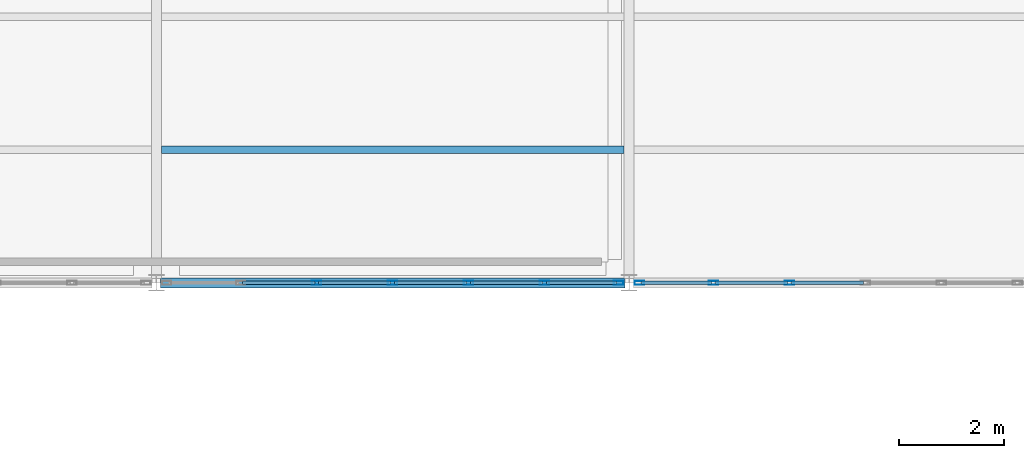
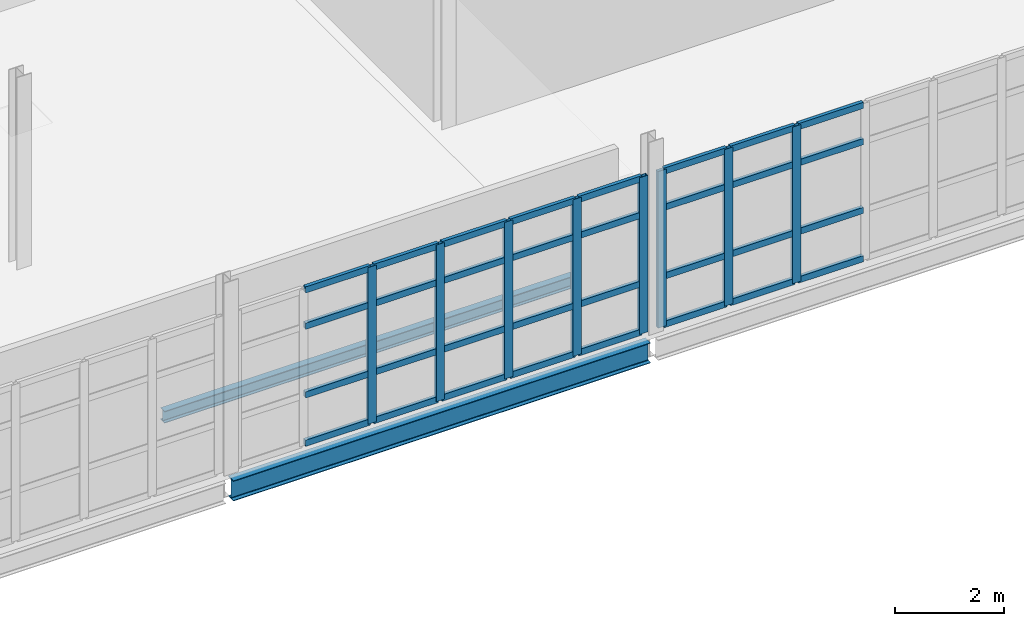
# One storey, part 109 of 166: 40 members, 2 beams, 2 elements without a shape of their own.
"""IFC4 building model written with IfcOpenShell, lengths in metres."""

from ifc_helpers import new_model, si_unit, direction, frame, origin, origin_2d, place, context, subcontext, project, spatial, hollow_rectangle, i_section, extrude, material, material_profile, profile_set, type_object, element, aggregate, save


model = new_model("IFC4")

# Units and contexts
model_context = context("Model", 3, precision=1e-05, world=origin(), true_north=direction((0.0, 1.0)))
body_context = subcontext(model_context, "Body", "Model", "MODEL_VIEW")
ifc_project = project(units=[si_unit("LENGTHUNIT", "METRE"), si_unit("AREAUNIT", "SQUARE_METRE"), si_unit("VOLUMEUNIT", "CUBIC_METRE"), si_unit("PLANEANGLEUNIT", "RADIAN"), si_unit("MASSUNIT", "GRAM", prefix="KILO")], contexts=[model_context])

# Site, building, storey
site_placement = place(None, origin())
site = spatial("IfcSite", under=ifc_project, at=site_placement, CompositionType="ELEMENT")
building_placement = place(site_placement, origin())
building = spatial("IfcBuilding", under=site, at=building_placement, Name="Caisbarro Railhouse Central Library", CompositionType="ELEMENT")
storey_placement = place(building_placement, frame((0.0, 0.0, 9.360107421875)))
storey = spatial("IfcBuildingStorey", under=building, at=storey_placement, Name="L02", CompositionType="ELEMENT", Elevation=9.360107421875)

# Beams
ifc_material_1 = material(Name="Steel ASTM A572 Grade 50", Category="steel")
ifc_material_profile_1 = material_profile(ifc_material_1, i_section(OverallWidth=0.14794921875, OverallDepth=0.26611328125, WebThickness=0.007568359375, FlangeThickness=0.012939453125, FilletRadius=0.010009765625, at=origin_2d()), Name="W250X44.8")
ifc_profile_set_1 = profile_set([ifc_material_profile_1], Name="Steel ASTM A572 Grade 50")
beam_type_1 = type_object("IfcBeamType", Name="BM-J04", PredefinedType="JOIST", material=ifc_profile_set_1)
beam_1_placement = place(storey_placement, frame((126.094970703125, 63.333251953125, -0.35302734375), z_axis=(1.0, 0.0, 0.0), x_axis=(0.0, 1.0, 0.0)))
element("IfcBeam", 1, at=beam_1_placement, inside=storey, type_object=beam_type_1, Name="J04 beam L02 #1553", PredefinedType="JOIST", context=body_context, shape_type="SweptSolid", body=[
    extrude(i_section(OverallWidth=0.14794921875, OverallDepth=0.26611328125, WebThickness=0.007568359375, FlangeThickness=0.012939453125, FilletRadius=0.010009765625, at=origin_2d()), origin(), (0.0, 0.0, 1.0), 8.81005859375),
])
ifc_material_profile_2 = material_profile(ifc_material_1, i_section(OverallWidth=0.18994140625, OverallDepth=0.45703125, WebThickness=0.009033203125, FlangeThickness=0.014404296875, FilletRadius=0.01806640625, at=origin_2d()), Name="W460X74.0")
ifc_profile_set_2 = profile_set([ifc_material_profile_2], Name="Steel ASTM A572 Grade 50")
beam_type_2 = type_object("IfcBeamType", Name="BM-SP01", PredefinedType="SPANDREL", material=ifc_profile_set_2)
beam_2_placement = place(storey_placement, frame((126.080078125, 60.800048828125, -0.448486328125), z_axis=(1.0, 0.0, 0.0), x_axis=(0.0, 1.0, 0.0)))
element("IfcBeam", 2, at=beam_2_placement, inside=storey, type_object=beam_type_2, Name="SP01 beam L02 #1477", PredefinedType="SPANDREL", context=body_context, shape_type="SweptSolid", body=[
    extrude(i_section(OverallWidth=0.18994140625, OverallDepth=0.45703125, WebThickness=0.009033203125, FlangeThickness=0.014404296875, FilletRadius=0.01806640625, at=origin_2d()), origin(), (0.0, 0.0, 1.0), 8.83984375),
])

# Curtain wall, members
ifc_material_2 = material(Name="Anodised architectural aluminium", Category="aluminium")
curtain_wall_type = type_object("IfcCurtainWallType", Name="CW-CW02", PredefinedType="NOTDEFINED", material=ifc_material_2)
curtain_wall_1_placement = place(storey_placement, origin())
curtain_wall_1 = element("IfcCurtainWall", 3, at=curtain_wall_1_placement, inside=storey, type_object=curtain_wall_type, Name="CW02 curtain wall L02 #134", PredefinedType="NOTDEFINED")
ifc_material_profile_3 = material_profile(ifc_material_2, hollow_rectangle(XDim=0.074951171875, YDim=0.179931640625, WallThickness=0.00439453125, at=origin_2d()), Name="ALU-MUL-75X180")
ifc_profile_set_3 = profile_set([ifc_material_profile_3], Name="Anodised architectural aluminium")
member_type_1 = type_object("IfcMemberType", Name="CWM-M01", PredefinedType="MULLION", material=ifc_profile_set_3)
member_1_placement = place(storey_placement, frame((129.05322265625, 60.800048828125, 0.0), z_axis=(0.0, 0.0, 1.0), x_axis=(0.0, 1.0, 0.0)))
member_1 = element("IfcMember", 4, at=member_1_placement, type_object=member_type_1, Name="CW02 mullion 3", PredefinedType="MULLION", context=body_context, shape_type="SweptSolid", body=[
    extrude(hollow_rectangle(XDim=0.074951171875, YDim=0.179931640625, WallThickness=0.00439453125, at=origin_2d()), origin(), (0.0, 0.0, 1.0), 3.510009765625),
])
member_2_placement = place(storey_placement, frame((130.5, 60.800048828125, 0.0), z_axis=(0.0, 0.0, 1.0), x_axis=(0.0, 1.0, 0.0)))
member_2 = element("IfcMember", 5, at=member_2_placement, type_object=member_type_1, Name="CW02 mullion 4", PredefinedType="MULLION", context=body_context, shape_type="SweptSolid", body=[
    extrude(hollow_rectangle(XDim=0.074951171875, YDim=0.179931640625, WallThickness=0.00439453125, at=origin_2d()), origin(), (0.0, 0.0, 1.0), 3.510009765625),
])
member_3_placement = place(storey_placement, frame((131.94677734375, 60.800048828125, 0.0), z_axis=(0.0, 0.0, 1.0), x_axis=(0.0, 1.0, 0.0)))
member_3 = element("IfcMember", 6, at=member_3_placement, type_object=member_type_1, Name="CW02 mullion 5", PredefinedType="MULLION", context=body_context, shape_type="SweptSolid", body=[
    extrude(hollow_rectangle(XDim=0.074951171875, YDim=0.179931640625, WallThickness=0.00439453125, at=origin_2d()), origin(), (0.0, 0.0, 1.0), 3.510009765625),
])
member_4_placement = place(storey_placement, frame((133.393310546875, 60.800048828125, 0.0), z_axis=(0.0, 0.0, 1.0), x_axis=(0.0, 1.0, 0.0)))
member_4 = element("IfcMember", 7, at=member_4_placement, type_object=member_type_1, Name="CW02 mullion 6", PredefinedType="MULLION", context=body_context, shape_type="SweptSolid", body=[
    extrude(hollow_rectangle(XDim=0.074951171875, YDim=0.179931640625, WallThickness=0.00439453125, at=origin_2d()), origin(), (0.0, 0.0, 1.0), 3.510009765625),
])
member_5_placement = place(storey_placement, frame((134.802490234375, 60.800048828125, 0.0), z_axis=(0.0, 0.0, 1.0), x_axis=(0.0, 1.0, 0.0)))
member_5 = element("IfcMember", 8, at=member_5_placement, type_object=member_type_1, Name="CW02 mullion 7", PredefinedType="MULLION", context=body_context, shape_type="SweptSolid", body=[
    extrude(hollow_rectangle(XDim=0.074951171875, YDim=0.179931640625, WallThickness=0.00439453125, at=origin_2d()), origin(), (0.0, 0.0, 1.0), 3.510009765625),
])

curtain_wall_2_placement = place(storey_placement, origin())
curtain_wall_2 = element("IfcCurtainWall", 9, at=curtain_wall_2_placement, inside=storey, type_object=curtain_wall_type, Name="CW02 curtain wall L02 #135", PredefinedType="NOTDEFINED")
member_6_placement = place(storey_placement, frame((135.197509765625, 60.800048828125, 0.0), z_axis=(0.0, 0.0, 1.0), x_axis=(0.0, 1.0, 0.0)))
member_6 = element("IfcMember", 10, at=member_6_placement, type_object=member_type_1, Name="CW02 mullion 1", PredefinedType="MULLION", context=body_context, shape_type="SweptSolid", body=[
    extrude(hollow_rectangle(XDim=0.074951171875, YDim=0.179931640625, WallThickness=0.00439453125, at=origin_2d()), origin(), (0.0, 0.0, 1.0), 3.510009765625),
])
member_7_placement = place(storey_placement, frame((136.606689453125, 60.800048828125, 0.0), z_axis=(0.0, 0.0, 1.0), x_axis=(0.0, 1.0, 0.0)))
member_7 = element("IfcMember", 11, at=member_7_placement, type_object=member_type_1, Name="CW02 mullion 2", PredefinedType="MULLION", context=body_context, shape_type="SweptSolid", body=[
    extrude(hollow_rectangle(XDim=0.074951171875, YDim=0.179931640625, WallThickness=0.00439453125, at=origin_2d()), origin(), (0.0, 0.0, 1.0), 3.510009765625),
])
member_8_placement = place(storey_placement, frame((138.05322265625, 60.800048828125, 0.0), z_axis=(0.0, 0.0, 1.0), x_axis=(0.0, 1.0, 0.0)))
member_8 = element("IfcMember", 12, at=member_8_placement, type_object=member_type_1, Name="CW02 mullion 3", PredefinedType="MULLION", context=body_context, shape_type="SweptSolid", body=[
    extrude(hollow_rectangle(XDim=0.074951171875, YDim=0.179931640625, WallThickness=0.00439453125, at=origin_2d()), origin(), (0.0, 0.0, 1.0), 3.510009765625),
])

# Member
ifc_material_profile_4 = material_profile(ifc_material_2, hollow_rectangle(XDim=0.074951171875, YDim=0.139892578125, WallThickness=0.00390625, at=origin_2d()), Name="ALU-TRN-75X140")
ifc_profile_set_4 = profile_set([ifc_material_profile_4], Name="Anodised architectural aluminium")
member_type_2 = type_object("IfcMemberType", Name="CWT-T01", PredefinedType="USERDEFINED", material=ifc_profile_set_4)
member_9_placement = place(storey_placement, frame((127.644287109375, 60.800048828125, 0.037353515625), z_axis=(1.0, 0.0, 0.0), x_axis=(0.0, 1.0, 0.0)))
member_9 = element("IfcMember", 13, at=member_9_placement, type_object=member_type_2, Name="CW02 transom 2.1", ObjectType="TRANSOM", PredefinedType="USERDEFINED", context=body_context, shape_type="SweptSolid", body=[
    extrude(hollow_rectangle(XDim=0.074951171875, YDim=0.139892578125, WallThickness=0.00390625, at=origin_2d()), origin(), (0.0, 0.0, 1.0), 1.37158203125),
])

member_10_placement = place(storey_placement, frame((127.644287109375, 60.800048828125, 1.119873046875), z_axis=(1.0, 0.0, 0.0), x_axis=(0.0, 1.0, 0.0)))
member_10 = element("IfcMember", 14, at=member_10_placement, type_object=member_type_2, Name="CW02 transom 2.2", ObjectType="TRANSOM", PredefinedType="USERDEFINED", context=body_context, shape_type="SweptSolid", body=[
    extrude(hollow_rectangle(XDim=0.074951171875, YDim=0.139892578125, WallThickness=0.00390625, at=origin_2d()), origin(), (0.0, 0.0, 1.0), 1.37158203125),
])

member_11_placement = place(storey_placement, frame((127.644287109375, 60.800048828125, 2.659912109375), z_axis=(1.0, 0.0, 0.0), x_axis=(0.0, 1.0, 0.0)))
member_11 = element("IfcMember", 15, at=member_11_placement, type_object=member_type_2, Name="CW02 transom 2.3", ObjectType="TRANSOM", PredefinedType="USERDEFINED", context=body_context, shape_type="SweptSolid", body=[
    extrude(hollow_rectangle(XDim=0.074951171875, YDim=0.139892578125, WallThickness=0.00390625, at=origin_2d()), origin(), (0.0, 0.0, 1.0), 1.37158203125),
])

member_12_placement = place(storey_placement, frame((127.644287109375, 60.800048828125, 3.472412109375), z_axis=(1.0, 0.0, 0.0), x_axis=(0.0, 1.0, 0.0)))
member_12 = element("IfcMember", 16, at=member_12_placement, type_object=member_type_2, Name="CW02 transom 2.4", ObjectType="TRANSOM", PredefinedType="USERDEFINED", context=body_context, shape_type="SweptSolid", body=[
    extrude(hollow_rectangle(XDim=0.074951171875, YDim=0.139892578125, WallThickness=0.00390625, at=origin_2d()), origin(), (0.0, 0.0, 1.0), 1.37158203125),
])

member_13_placement = place(storey_placement, frame((129.0908203125, 60.800048828125, 0.037353515625), z_axis=(1.0, 0.0, 0.0), x_axis=(0.0, 1.0, 0.0)))
member_13 = element("IfcMember", 17, at=member_13_placement, type_object=member_type_2, Name="CW02 transom 3.1", ObjectType="TRANSOM", PredefinedType="USERDEFINED", context=body_context, shape_type="SweptSolid", body=[
    extrude(hollow_rectangle(XDim=0.074951171875, YDim=0.139892578125, WallThickness=0.00390625, at=origin_2d()), origin(), (0.0, 0.0, 1.0), 1.37158203125),
])

member_14_placement = place(storey_placement, frame((129.0908203125, 60.800048828125, 1.119873046875), z_axis=(1.0, 0.0, 0.0), x_axis=(0.0, 1.0, 0.0)))
member_14 = element("IfcMember", 18, at=member_14_placement, type_object=member_type_2, Name="CW02 transom 3.2", ObjectType="TRANSOM", PredefinedType="USERDEFINED", context=body_context, shape_type="SweptSolid", body=[
    extrude(hollow_rectangle(XDim=0.074951171875, YDim=0.139892578125, WallThickness=0.00390625, at=origin_2d()), origin(), (0.0, 0.0, 1.0), 1.37158203125),
])

member_15_placement = place(storey_placement, frame((129.0908203125, 60.800048828125, 2.659912109375), z_axis=(1.0, 0.0, 0.0), x_axis=(0.0, 1.0, 0.0)))
member_15 = element("IfcMember", 19, at=member_15_placement, type_object=member_type_2, Name="CW02 transom 3.3", ObjectType="TRANSOM", PredefinedType="USERDEFINED", context=body_context, shape_type="SweptSolid", body=[
    extrude(hollow_rectangle(XDim=0.074951171875, YDim=0.139892578125, WallThickness=0.00390625, at=origin_2d()), origin(), (0.0, 0.0, 1.0), 1.37158203125),
])

member_16_placement = place(storey_placement, frame((129.0908203125, 60.800048828125, 3.472412109375), z_axis=(1.0, 0.0, 0.0), x_axis=(0.0, 1.0, 0.0)))
member_16 = element("IfcMember", 20, at=member_16_placement, type_object=member_type_2, Name="CW02 transom 3.4", ObjectType="TRANSOM", PredefinedType="USERDEFINED", context=body_context, shape_type="SweptSolid", body=[
    extrude(hollow_rectangle(XDim=0.074951171875, YDim=0.139892578125, WallThickness=0.00390625, at=origin_2d()), origin(), (0.0, 0.0, 1.0), 1.37158203125),
])

member_17_placement = place(storey_placement, frame((130.53759765625, 60.800048828125, 0.037353515625), z_axis=(1.0, 0.0, 0.0), x_axis=(0.0, 1.0, 0.0)))
member_17 = element("IfcMember", 21, at=member_17_placement, type_object=member_type_2, Name="CW02 transom 4.1", ObjectType="TRANSOM", PredefinedType="USERDEFINED", context=body_context, shape_type="SweptSolid", body=[
    extrude(hollow_rectangle(XDim=0.074951171875, YDim=0.139892578125, WallThickness=0.00390625, at=origin_2d()), origin(), (0.0, 0.0, 1.0), 1.37158203125),
])

member_18_placement = place(storey_placement, frame((130.53759765625, 60.800048828125, 1.119873046875), z_axis=(1.0, 0.0, 0.0), x_axis=(0.0, 1.0, 0.0)))
member_18 = element("IfcMember", 22, at=member_18_placement, type_object=member_type_2, Name="CW02 transom 4.2", ObjectType="TRANSOM", PredefinedType="USERDEFINED", context=body_context, shape_type="SweptSolid", body=[
    extrude(hollow_rectangle(XDim=0.074951171875, YDim=0.139892578125, WallThickness=0.00390625, at=origin_2d()), origin(), (0.0, 0.0, 1.0), 1.37158203125),
])

member_19_placement = place(storey_placement, frame((130.53759765625, 60.800048828125, 2.659912109375), z_axis=(1.0, 0.0, 0.0), x_axis=(0.0, 1.0, 0.0)))
member_19 = element("IfcMember", 23, at=member_19_placement, type_object=member_type_2, Name="CW02 transom 4.3", ObjectType="TRANSOM", PredefinedType="USERDEFINED", context=body_context, shape_type="SweptSolid", body=[
    extrude(hollow_rectangle(XDim=0.074951171875, YDim=0.139892578125, WallThickness=0.00390625, at=origin_2d()), origin(), (0.0, 0.0, 1.0), 1.37158203125),
])

member_20_placement = place(storey_placement, frame((130.53759765625, 60.800048828125, 3.472412109375), z_axis=(1.0, 0.0, 0.0), x_axis=(0.0, 1.0, 0.0)))
member_20 = element("IfcMember", 24, at=member_20_placement, type_object=member_type_2, Name="CW02 transom 4.4", ObjectType="TRANSOM", PredefinedType="USERDEFINED", context=body_context, shape_type="SweptSolid", body=[
    extrude(hollow_rectangle(XDim=0.074951171875, YDim=0.139892578125, WallThickness=0.00390625, at=origin_2d()), origin(), (0.0, 0.0, 1.0), 1.37158203125),
])

member_21_placement = place(storey_placement, frame((131.984130859375, 60.800048828125, 0.037353515625), z_axis=(1.0, 0.0, 0.0), x_axis=(0.0, 1.0, 0.0)))
member_21 = element("IfcMember", 25, at=member_21_placement, type_object=member_type_2, Name="CW02 transom 5.1", ObjectType="TRANSOM", PredefinedType="USERDEFINED", context=body_context, shape_type="SweptSolid", body=[
    extrude(hollow_rectangle(XDim=0.074951171875, YDim=0.139892578125, WallThickness=0.00390625, at=origin_2d()), origin(), (0.0, 0.0, 1.0), 1.37158203125),
])

member_22_placement = place(storey_placement, frame((131.984130859375, 60.800048828125, 1.119873046875), z_axis=(1.0, 0.0, 0.0), x_axis=(0.0, 1.0, 0.0)))
member_22 = element("IfcMember", 26, at=member_22_placement, type_object=member_type_2, Name="CW02 transom 5.2", ObjectType="TRANSOM", PredefinedType="USERDEFINED", context=body_context, shape_type="SweptSolid", body=[
    extrude(hollow_rectangle(XDim=0.074951171875, YDim=0.139892578125, WallThickness=0.00390625, at=origin_2d()), origin(), (0.0, 0.0, 1.0), 1.37158203125),
])

member_23_placement = place(storey_placement, frame((131.984130859375, 60.800048828125, 2.659912109375), z_axis=(1.0, 0.0, 0.0), x_axis=(0.0, 1.0, 0.0)))
member_23 = element("IfcMember", 27, at=member_23_placement, type_object=member_type_2, Name="CW02 transom 5.3", ObjectType="TRANSOM", PredefinedType="USERDEFINED", context=body_context, shape_type="SweptSolid", body=[
    extrude(hollow_rectangle(XDim=0.074951171875, YDim=0.139892578125, WallThickness=0.00390625, at=origin_2d()), origin(), (0.0, 0.0, 1.0), 1.37158203125),
])

member_24_placement = place(storey_placement, frame((131.984130859375, 60.800048828125, 3.472412109375), z_axis=(1.0, 0.0, 0.0), x_axis=(0.0, 1.0, 0.0)))
member_24 = element("IfcMember", 28, at=member_24_placement, type_object=member_type_2, Name="CW02 transom 5.4", ObjectType="TRANSOM", PredefinedType="USERDEFINED", context=body_context, shape_type="SweptSolid", body=[
    extrude(hollow_rectangle(XDim=0.074951171875, YDim=0.139892578125, WallThickness=0.00390625, at=origin_2d()), origin(), (0.0, 0.0, 1.0), 1.37158203125),
])

member_25_placement = place(storey_placement, frame((133.430908203125, 60.800048828125, 0.037353515625), z_axis=(1.0, 0.0, 0.0), x_axis=(0.0, 1.0, 0.0)))
member_25 = element("IfcMember", 29, at=member_25_placement, type_object=member_type_2, Name="CW02 transom 6.1", ObjectType="TRANSOM", PredefinedType="USERDEFINED", context=body_context, shape_type="SweptSolid", body=[
    extrude(hollow_rectangle(XDim=0.074951171875, YDim=0.139892578125, WallThickness=0.00390625, at=origin_2d()), origin(), (0.0, 0.0, 1.0), 1.333984375),
])

member_26_placement = place(storey_placement, frame((133.430908203125, 60.800048828125, 1.119873046875), z_axis=(1.0, 0.0, 0.0), x_axis=(0.0, 1.0, 0.0)))
member_26 = element("IfcMember", 30, at=member_26_placement, type_object=member_type_2, Name="CW02 transom 6.2", ObjectType="TRANSOM", PredefinedType="USERDEFINED", context=body_context, shape_type="SweptSolid", body=[
    extrude(hollow_rectangle(XDim=0.074951171875, YDim=0.139892578125, WallThickness=0.00390625, at=origin_2d()), origin(), (0.0, 0.0, 1.0), 1.333984375),
])

member_27_placement = place(storey_placement, frame((133.430908203125, 60.800048828125, 2.659912109375), z_axis=(1.0, 0.0, 0.0), x_axis=(0.0, 1.0, 0.0)))
member_27 = element("IfcMember", 31, at=member_27_placement, type_object=member_type_2, Name="CW02 transom 6.3", ObjectType="TRANSOM", PredefinedType="USERDEFINED", context=body_context, shape_type="SweptSolid", body=[
    extrude(hollow_rectangle(XDim=0.074951171875, YDim=0.139892578125, WallThickness=0.00390625, at=origin_2d()), origin(), (0.0, 0.0, 1.0), 1.333984375),
])

member_28_placement = place(storey_placement, frame((133.430908203125, 60.800048828125, 3.472412109375), z_axis=(1.0, 0.0, 0.0), x_axis=(0.0, 1.0, 0.0)))
member_28 = element("IfcMember", 32, at=member_28_placement, type_object=member_type_2, Name="CW02 transom 6.4", ObjectType="TRANSOM", PredefinedType="USERDEFINED", context=body_context, shape_type="SweptSolid", body=[
    extrude(hollow_rectangle(XDim=0.074951171875, YDim=0.139892578125, WallThickness=0.00390625, at=origin_2d()), origin(), (0.0, 0.0, 1.0), 1.333984375),
])

aggregate(curtain_wall_1, [member_1, member_2, member_3, member_4, member_5, member_9, member_10, member_11, member_12, member_13, member_14, member_15, member_16, member_17, member_18, member_19, member_20, member_21, member_22, member_23, member_24, member_25, member_26, member_27, member_28])

member_29_placement = place(storey_placement, frame((135.235107421875, 60.800048828125, 0.037353515625), z_axis=(1.0, 0.0, 0.0), x_axis=(0.0, 1.0, 0.0)))
member_29 = element("IfcMember", 33, at=member_29_placement, type_object=member_type_2, Name="CW02 transom 1.1", ObjectType="TRANSOM", PredefinedType="USERDEFINED", context=body_context, shape_type="SweptSolid", body=[
    extrude(hollow_rectangle(XDim=0.074951171875, YDim=0.139892578125, WallThickness=0.00390625, at=origin_2d()), origin(), (0.0, 0.0, 1.0), 1.333984375),
])

member_30_placement = place(storey_placement, frame((135.235107421875, 60.800048828125, 1.119873046875), z_axis=(1.0, 0.0, 0.0), x_axis=(0.0, 1.0, 0.0)))
member_30 = element("IfcMember", 34, at=member_30_placement, type_object=member_type_2, Name="CW02 transom 1.2", ObjectType="TRANSOM", PredefinedType="USERDEFINED", context=body_context, shape_type="SweptSolid", body=[
    extrude(hollow_rectangle(XDim=0.074951171875, YDim=0.139892578125, WallThickness=0.00390625, at=origin_2d()), origin(), (0.0, 0.0, 1.0), 1.333984375),
])

member_31_placement = place(storey_placement, frame((135.235107421875, 60.800048828125, 2.659912109375), z_axis=(1.0, 0.0, 0.0), x_axis=(0.0, 1.0, 0.0)))
member_31 = element("IfcMember", 35, at=member_31_placement, type_object=member_type_2, Name="CW02 transom 1.3", ObjectType="TRANSOM", PredefinedType="USERDEFINED", context=body_context, shape_type="SweptSolid", body=[
    extrude(hollow_rectangle(XDim=0.074951171875, YDim=0.139892578125, WallThickness=0.00390625, at=origin_2d()), origin(), (0.0, 0.0, 1.0), 1.333984375),
])

member_32_placement = place(storey_placement, frame((135.235107421875, 60.800048828125, 3.472412109375), z_axis=(1.0, 0.0, 0.0), x_axis=(0.0, 1.0, 0.0)))
member_32 = element("IfcMember", 36, at=member_32_placement, type_object=member_type_2, Name="CW02 transom 1.4", ObjectType="TRANSOM", PredefinedType="USERDEFINED", context=body_context, shape_type="SweptSolid", body=[
    extrude(hollow_rectangle(XDim=0.074951171875, YDim=0.139892578125, WallThickness=0.00390625, at=origin_2d()), origin(), (0.0, 0.0, 1.0), 1.333984375),
])

member_33_placement = place(storey_placement, frame((136.644287109375, 60.800048828125, 0.037353515625), z_axis=(1.0, 0.0, 0.0), x_axis=(0.0, 1.0, 0.0)))
member_33 = element("IfcMember", 37, at=member_33_placement, type_object=member_type_2, Name="CW02 transom 2.1", ObjectType="TRANSOM", PredefinedType="USERDEFINED", context=body_context, shape_type="SweptSolid", body=[
    extrude(hollow_rectangle(XDim=0.074951171875, YDim=0.139892578125, WallThickness=0.00390625, at=origin_2d()), origin(), (0.0, 0.0, 1.0), 1.37158203125),
])

member_34_placement = place(storey_placement, frame((136.644287109375, 60.800048828125, 1.119873046875), z_axis=(1.0, 0.0, 0.0), x_axis=(0.0, 1.0, 0.0)))
member_34 = element("IfcMember", 38, at=member_34_placement, type_object=member_type_2, Name="CW02 transom 2.2", ObjectType="TRANSOM", PredefinedType="USERDEFINED", context=body_context, shape_type="SweptSolid", body=[
    extrude(hollow_rectangle(XDim=0.074951171875, YDim=0.139892578125, WallThickness=0.00390625, at=origin_2d()), origin(), (0.0, 0.0, 1.0), 1.37158203125),
])

member_35_placement = place(storey_placement, frame((136.644287109375, 60.800048828125, 2.659912109375), z_axis=(1.0, 0.0, 0.0), x_axis=(0.0, 1.0, 0.0)))
member_35 = element("IfcMember", 39, at=member_35_placement, type_object=member_type_2, Name="CW02 transom 2.3", ObjectType="TRANSOM", PredefinedType="USERDEFINED", context=body_context, shape_type="SweptSolid", body=[
    extrude(hollow_rectangle(XDim=0.074951171875, YDim=0.139892578125, WallThickness=0.00390625, at=origin_2d()), origin(), (0.0, 0.0, 1.0), 1.37158203125),
])

member_36_placement = place(storey_placement, frame((136.644287109375, 60.800048828125, 3.472412109375), z_axis=(1.0, 0.0, 0.0), x_axis=(0.0, 1.0, 0.0)))
member_36 = element("IfcMember", 40, at=member_36_placement, type_object=member_type_2, Name="CW02 transom 2.4", ObjectType="TRANSOM", PredefinedType="USERDEFINED", context=body_context, shape_type="SweptSolid", body=[
    extrude(hollow_rectangle(XDim=0.074951171875, YDim=0.139892578125, WallThickness=0.00390625, at=origin_2d()), origin(), (0.0, 0.0, 1.0), 1.37158203125),
])

member_37_placement = place(storey_placement, frame((138.0908203125, 60.800048828125, 0.037353515625), z_axis=(1.0, 0.0, 0.0), x_axis=(0.0, 1.0, 0.0)))
member_37 = element("IfcMember", 41, at=member_37_placement, type_object=member_type_2, Name="CW02 transom 3.1", ObjectType="TRANSOM", PredefinedType="USERDEFINED", context=body_context, shape_type="SweptSolid", body=[
    extrude(hollow_rectangle(XDim=0.074951171875, YDim=0.139892578125, WallThickness=0.00390625, at=origin_2d()), origin(), (0.0, 0.0, 1.0), 1.37158203125),
])

member_38_placement = place(storey_placement, frame((138.0908203125, 60.800048828125, 1.119873046875), z_axis=(1.0, 0.0, 0.0), x_axis=(0.0, 1.0, 0.0)))
member_38 = element("IfcMember", 42, at=member_38_placement, type_object=member_type_2, Name="CW02 transom 3.2", ObjectType="TRANSOM", PredefinedType="USERDEFINED", context=body_context, shape_type="SweptSolid", body=[
    extrude(hollow_rectangle(XDim=0.074951171875, YDim=0.139892578125, WallThickness=0.00390625, at=origin_2d()), origin(), (0.0, 0.0, 1.0), 1.37158203125),
])

member_39_placement = place(storey_placement, frame((138.0908203125, 60.800048828125, 2.659912109375), z_axis=(1.0, 0.0, 0.0), x_axis=(0.0, 1.0, 0.0)))
member_39 = element("IfcMember", 43, at=member_39_placement, type_object=member_type_2, Name="CW02 transom 3.3", ObjectType="TRANSOM", PredefinedType="USERDEFINED", context=body_context, shape_type="SweptSolid", body=[
    extrude(hollow_rectangle(XDim=0.074951171875, YDim=0.139892578125, WallThickness=0.00390625, at=origin_2d()), origin(), (0.0, 0.0, 1.0), 1.37158203125),
])

member_40_placement = place(storey_placement, frame((138.0908203125, 60.800048828125, 3.472412109375), z_axis=(1.0, 0.0, 0.0), x_axis=(0.0, 1.0, 0.0)))
member_40 = element("IfcMember", 44, at=member_40_placement, type_object=member_type_2, Name="CW02 transom 3.4", ObjectType="TRANSOM", PredefinedType="USERDEFINED", context=body_context, shape_type="SweptSolid", body=[
    extrude(hollow_rectangle(XDim=0.074951171875, YDim=0.139892578125, WallThickness=0.00390625, at=origin_2d()), origin(), (0.0, 0.0, 1.0), 1.37158203125),
])

aggregate(curtain_wall_2, [member_6, member_7, member_8, member_29, member_30, member_31, member_32, member_33, member_34, member_35, member_36, member_37, member_38, member_39, member_40])

save(model, "model.ifc")
